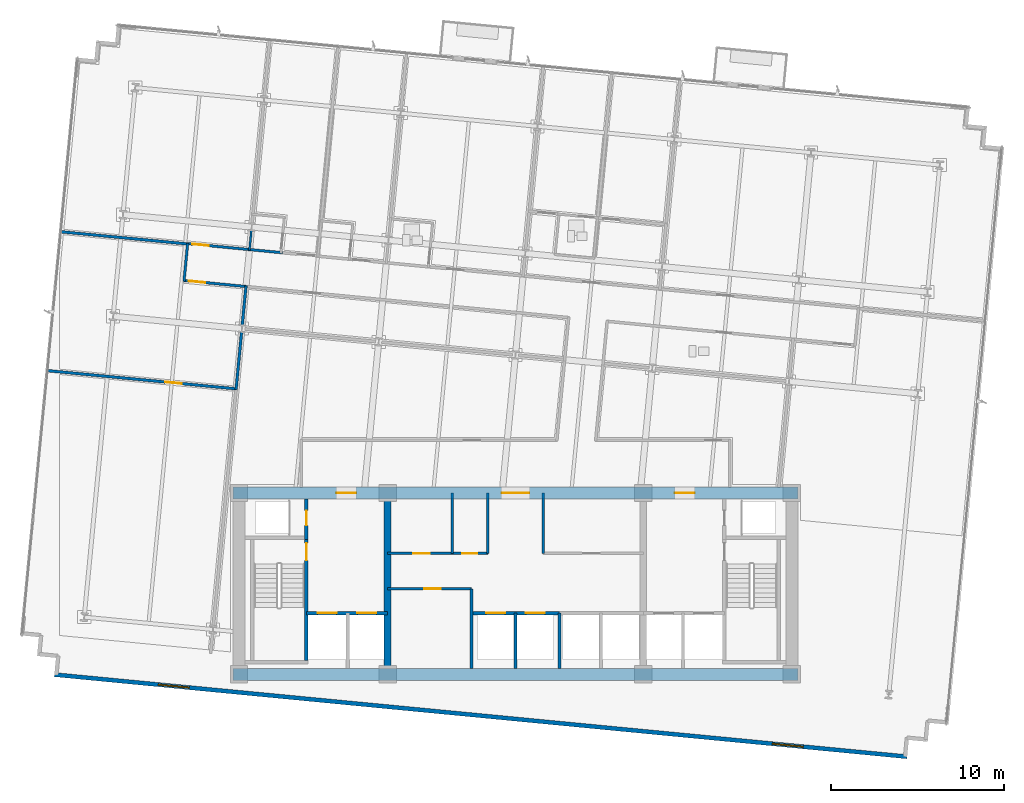
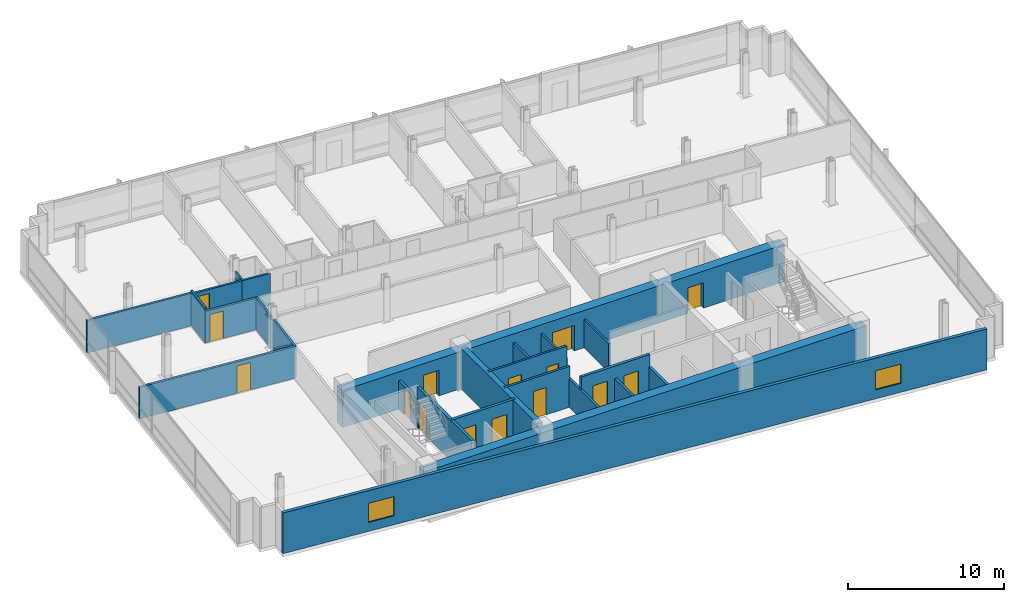
# One storey, part 10 of 17: 25 walls, 15 doors, 2 windows, 17 openings.
"""IFC4 building model written with IfcOpenShell, lengths in metres."""

from ifc_helpers import new_model, si_unit, direction, frame, frame_2d, origin, place, context, subcontext, project, spatial, rectangle, extrude, material, layer, layer_set, type_object, element, fill, save


model = new_model("IFC4")

# Units and contexts
model_context = context("Model", 3, precision=1e-05, world=origin(), true_north=direction((0.0, 1.0)))
body_context = subcontext(model_context, "Body", "Model", "MODEL_VIEW")
ifc_project = project(units=[si_unit("LENGTHUNIT", "METRE"), si_unit("AREAUNIT", "SQUARE_METRE"), si_unit("VOLUMEUNIT", "CUBIC_METRE"), si_unit("PLANEANGLEUNIT", "RADIAN"), si_unit("MASSUNIT", "GRAM", prefix="KILO")], contexts=[model_context])

# Site, building, storey
site_placement = place(None, origin())
site = spatial("IfcSite", under=ifc_project, at=site_placement, CompositionType="ELEMENT")
building_placement = place(site_placement, origin())
building = spatial("IfcBuilding", under=site, at=building_placement, Name="Solmavex Isthmus Hotel", CompositionType="ELEMENT")
storey_placement = place(building_placement, frame((0.0, 0.0, 156.60009765625)))
storey = spatial("IfcBuildingStorey", under=building, at=storey_placement, Name="L42", CompositionType="ELEMENT", Elevation=156.60009765625)

# Wall, openings, windows
ifc_material_1 = material(Name="Precast Concrete C40/50", Category="concrete")
ifc_layer_1 = layer(ifc_material_1, 0.25)
ifc_layer_set_1 = layer_set([ifc_layer_1], Name="Precast Concrete C40/50")
wall_type_1 = type_object("IfcWallType", Name="EW-TWR-250", PredefinedType="STANDARD", material=ifc_layer_set_1)
wall_1_placement = place(storey_placement, frame((-26.6953125, -13.01611328125, 0.0), z_axis=(0.0, 0.0, 1.0), x_axis=(0.995396268366, -0.095845025554, 0.0)))
wall_1 = element("IfcWall", 1, at=wall_1_placement, inside=storey, type_object=wall_type_1, Name="Tower Rear South Facade Wall L42", PredefinedType="STANDARD", context=body_context, shape_type="SweptSolid", body=[
    extrude(rectangle(XDim=49.599853515625, YDim=0.239990234375, at=frame_2d((24.7998046875, 0.0))), origin(), (0.0, 0.0, 1.0), 3.18994140625),
])
opening_1_placement = place(wall_1_placement, frame((6.0439453125, 0.0, 0.699951171875)))
opening_1 = element("IfcOpeningElement", 2, at=opening_1_placement, cuts=wall_1, Name="Opening WN-02", PredefinedType="OPENING", context=body_context, shape_type="SweptSolid", body=[
    extrude(rectangle(XDim=1.800048828125, YDim=1.5, at=frame_2d((0.89990234375, 0.75))), frame((0.0, 0.1298828125, 0.0), z_axis=(0.0, -1.0, 0.0), x_axis=(1.0, 0.0, 0.0)), (0.0, 0.0, 1.0), 0.260009765625),
])
opening_2_placement = place(wall_1_placement, frame((41.756103515625, 0.0, 0.699951171875)))
opening_2 = element("IfcOpeningElement", 3, at=opening_2_placement, cuts=wall_1, Name="Opening WN-02", PredefinedType="OPENING", context=body_context, shape_type="SweptSolid", body=[
    extrude(rectangle(XDim=1.800048828125, YDim=1.5, at=frame_2d((0.89990234375, 0.75))), frame((0.0, 0.1298828125, 0.0), z_axis=(0.0, -1.0, 0.0), x_axis=(1.0, 0.0, 0.0)), (0.0, 0.0, 1.0), 0.260009765625),
])
ifc_material_2 = material(Name="Clear low-E laminated glass", Category="glass")
window_type = type_object("IfcWindowType", Name="WIN-TWR-1800", PartitioningType="SINGLE_PANEL", PredefinedType="WINDOW", material=ifc_material_2)
window_1_placement = place(opening_1_placement, origin())
window_1 = element("IfcWindow", 4, at=window_1_placement, inside=storey, type_object=window_type, Name="South Facade Vision Window L42-S1", OverallHeight=1.5, OverallWidth=1.800048828125, PartitioningType="SINGLE_PANEL", PredefinedType="WINDOW", context=body_context, shape_type="SweptSolid", body=[
    extrude(rectangle(XDim=1.800048828125, YDim=1.5, at=frame_2d((0.89990234375, 0.75))), frame((0.0, 0.030029296875, 0.0), z_axis=(0.0, -1.0, 0.0), x_axis=(1.0, 0.0, 0.0)), (0.0, 0.0, 1.0), 0.06005859375),
])
fill(opening_1, window_1)
window_2_placement = place(opening_2_placement, origin())
window_2 = element("IfcWindow", 5, at=window_2_placement, inside=storey, type_object=window_type, Name="South Facade Vision Window L42-S2", OverallHeight=1.5, OverallWidth=1.800048828125, PartitioningType="SINGLE_PANEL", PredefinedType="WINDOW", context=body_context, shape_type="SweptSolid", body=[
    extrude(rectangle(XDim=1.800048828125, YDim=1.5, at=frame_2d((0.89990234375, 0.75))), frame((0.0, 0.030029296875, 0.0), z_axis=(0.0, -1.0, 0.0), x_axis=(1.0, 0.0, 0.0)), (0.0, 0.0, 1.0), 0.06005859375),
])
fill(opening_2, window_2)

# Wall, opening, door
ifc_material_3 = material(Name="Gypsum plasterboard lining", Category="gypsum")
ifc_layer_2 = layer(ifc_material_3, 0.159912109375)
ifc_layer_set_2 = layer_set([ifc_layer_2], Name="Gypsum plasterboard lining")
wall_type_2 = type_object("IfcWallType", Name="IW-COMP-160", PredefinedType="PARTITIONING", material=ifc_layer_set_2)
wall_2_placement = place(storey_placement, frame((-7.39990234375, -8.050048828125, 0.0), z_axis=(0.0, 0.0, 1.0), x_axis=(1.0, 0.0, 0.0)))
wall_2 = element("IfcWall", 6, at=wall_2_placement, inside=storey, type_object=wall_type_2, Name="Interior Partition Wall W-L42-REC-PLL-N", PredefinedType="PARTITIONING", context=body_context, shape_type="SweptSolid", body=[
    extrude(rectangle(XDim=4.849853515625, YDim=0.159912109375, at=frame_2d((2.4248046875, 0.0))), origin(), (0.0, 0.0, 1.0), 3.18994140625),
])
opening_3_placement = place(wall_2_placement, frame((2.125, 0.0, 0.0)))
opening_3 = element("IfcOpeningElement", 7, at=opening_3_placement, cuts=wall_2, Name="Opening ID-C095", PredefinedType="OPENING", context=body_context, shape_type="SweptSolid", body=[
    extrude(rectangle(XDim=0.949951171875, YDim=2.14990234375, at=frame_2d((0.47509765625, 1.074951171875))), frame((0.0, 0.08984375, 0.0), z_axis=(0.0, -1.0, 0.0), x_axis=(1.0, 0.0, 0.0)), (0.0, 0.0, 1.0), 0.179931640625),
])
ifc_material_4 = material(Name="Hardwood timber", Category="wood")
door_type_1 = type_object("IfcDoorType", Name="IDR-FD60-0950", OperationType="NOTDEFINED", PredefinedType="DOOR", material=ifc_material_4)
door_1_placement = place(opening_3_placement, origin())
door_1 = element("IfcDoor", 8, at=door_1_placement, inside=storey, type_object=door_type_1, Name="Linen Reserve Door L42", OperationType="SINGLE_SWING_LEFT", OverallHeight=2.14990234375, OverallWidth=0.949951171875, PredefinedType="DOOR", context=body_context, shape_type="SweptSolid", body=[
    extrude(rectangle(XDim=0.949951171875, YDim=2.14990234375, at=frame_2d((0.47509765625, 1.074951171875))), frame((0.0, 0.02490234375, 0.0), z_axis=(0.0, -1.0, 0.0), x_axis=(1.0, 0.0, 0.0)), (0.0, 0.0, 1.0), 0.050048828125),
])
fill(opening_3, door_1)

# Walls
wall_3_placement = place(storey_placement, frame((-2.550048828125, -12.64990234375, 0.0), z_axis=(0.0, 0.0, 1.0), x_axis=(0.0, 1.0, 0.0)))
element("IfcWall", 9, at=wall_3_placement, inside=storey, type_object=wall_type_2, Name="Interior Partition Wall W-L42-REC-PLL-E", PredefinedType="PARTITIONING", context=body_context, shape_type="SweptSolid", body=[
    extrude(rectangle(XDim=4.599853515625, YDim=0.159912109375, at=frame_2d((2.2998046875, 0.0))), origin(), (0.0, 0.0, 1.0), 2.224853515625),
])
wall_4_placement = place(storey_placement, frame((-18.942138671875, 11.91552734375, 0.0), z_axis=(0.0, 0.0, 1.0), x_axis=(-0.995395927026, 0.095848570461, 0.0)))
element("IfcWall", 10, at=wall_4_placement, inside=storey, type_object=wall_type_2, Name="Interior Partition Wall W-L42-P027", PredefinedType="PARTITIONING", context=body_context, shape_type="SweptSolid", body=[
    extrude(rectangle(XDim=7.44775390625, YDim=0.159912109375, at=frame_2d((3.723876953125, 0.0))), origin(), (0.0, 0.0, 1.0), 2.557373046875),
])
wall_5_placement = place(storey_placement, frame((-15.820556640625, 7.190673828125, 0.0), z_axis=(0.0, 0.0, 1.0), x_axis=(0.09580488871, 0.995400132258, 0.0)))
element("IfcWall", 11, at=wall_5_placement, inside=storey, type_object=wall_type_2, Name="Interior Partition Wall W-L42-P059", PredefinedType="PARTITIONING", context=body_context, shape_type="SweptSolid", body=[
    extrude(rectangle(XDim=2.31396484375, YDim=0.159912109375, at=frame_2d((1.156982421875, 0.0))), origin(), (0.0, 0.0, 1.0), 2.4794921875),
])
wall_6_placement = place(storey_placement, frame((-15.854248046875, 6.84033203125, 0.0), z_axis=(0.0, 0.0, 1.0), x_axis=(-0.095867281951, -0.995394125084, 0.0)))
element("IfcWall", 12, at=wall_6_placement, inside=storey, type_object=wall_type_2, Name="Interior Partition Wall W-L42-P064", PredefinedType="PARTITIONING", context=body_context, shape_type="SweptSolid", body=[
    extrude(rectangle(XDim=3.364013671875, YDim=0.159912109375, at=frame_2d((1.68212890625, 0.0))), origin(), (0.0, 0.0, 1.0), 2.4794921875),
])

# Wall, opening, door
wall_7_placement = place(storey_placement, frame((-16.133056640625, 3.52783203125, 0.0), z_axis=(0.0, 0.0, 1.0), x_axis=(-0.99539691551, 0.095838304419, 0.0)))
wall_7 = element("IfcWall", 13, at=wall_7_placement, inside=storey, type_object=wall_type_2, Name="Interior Partition Wall W-L42-P065", PredefinedType="PARTITIONING", context=body_context, shape_type="SweptSolid", body=[
    extrude(rectangle(XDim=11.048095703125, YDim=0.159912109375, at=frame_2d((5.52392578125, 0.0))), origin(), (0.0, 0.0, 1.0), 2.4794921875),
])
opening_4_placement = place(wall_7_placement, frame((3.206298828125, 0.0, 0.0)))
opening_4 = element("IfcOpeningElement", 14, at=opening_4_placement, cuts=wall_7, Name="Opening ID-C095", PredefinedType="OPENING", context=body_context, shape_type="SweptSolid", body=[
    extrude(rectangle(XDim=0.949951171875, YDim=2.14990234375, at=frame_2d((0.47509765625, 1.074951171875))), frame((0.0, 0.08984375, 0.0), z_axis=(0.0, -1.0, 0.0), x_axis=(1.0, 0.0, 0.0)), (0.0, 0.0, 1.0), 0.179931640625),
])
door_2_placement = place(opening_4_placement, origin())
door_2 = element("IfcDoor", 15, at=door_2_placement, inside=storey, type_object=door_type_1, Name="Corporate Briefing Office Door L42-19", OperationType="SINGLE_SWING_LEFT", OverallHeight=2.14990234375, OverallWidth=0.949951171875, PredefinedType="DOOR", context=body_context, shape_type="SweptSolid", body=[
    extrude(rectangle(XDim=0.949951171875, YDim=2.14990234375, at=frame_2d((0.47509765625, 1.074951171875))), frame((0.0, 0.02490234375, 0.0), z_axis=(0.0, -1.0, 0.0), x_axis=(1.0, 0.0, 0.0)), (0.0, 0.0, 1.0), 0.050048828125),
])
fill(opening_4, door_2)

# Wall, openings, doors
ifc_layer_3 = layer(ifc_material_3, 0.14990234375)
ifc_layer_set_3 = layer_set([ifc_layer_3], Name="Gypsum plasterboard lining")
wall_type_3 = type_object("IfcWallType", Name="IW-CORR-150", PredefinedType="PARTITIONING", material=ifc_layer_set_3)
wall_8_placement = place(storey_placement, frame((-7.39990234375, -6.0, 0.0), z_axis=(0.0, 0.0, 1.0), x_axis=(1.0, 0.0, 0.0)))
wall_8 = element("IfcWall", 16, at=wall_8_placement, inside=storey, type_object=wall_type_3, Name="Interior Partition Wall W-L42-BOH-WS", PredefinedType="PARTITIONING", context=body_context, shape_type="SweptSolid", body=[
    extrude(rectangle(XDim=5.7998046875, YDim=0.14990234375, at=frame_2d((2.89990234375, 0.0))), origin(), (0.0, 0.0, 1.0), 3.18994140625),
])
opening_5_placement = place(wall_8_placement, frame((1.47509765625, 0.0, 0.0)))
opening_5 = element("IfcOpeningElement", 17, at=opening_5_placement, cuts=wall_8, Name="Opening ID-C095", PredefinedType="OPENING", context=body_context, shape_type="SweptSolid", body=[
    extrude(rectangle(XDim=0.949951171875, YDim=2.14990234375, at=frame_2d((0.47509765625, 1.074951171875))), frame((0.0, 0.0849609375, 0.0), z_axis=(0.0, -1.0, 0.0), x_axis=(1.0, 0.0, 0.0)), (0.0, 0.0, 1.0), 0.169921875),
])
opening_6_placement = place(wall_8_placement, frame((4.324951171875, 0.0, 0.0)))
opening_6 = element("IfcOpeningElement", 18, at=opening_6_placement, cuts=wall_8, Name="Opening ID-R085", PredefinedType="OPENING", context=body_context, shape_type="SweptSolid", body=[
    extrude(rectangle(XDim=0.85009765625, YDim=2.050048828125, at=frame_2d((0.425048828125, 1.02490234375))), frame((0.0, 0.0849609375, 0.0), z_axis=(0.0, -1.0, 0.0), x_axis=(1.0, 0.0, 0.0)), (0.0, 0.0, 1.0), 0.169921875),
])
ifc_material_5 = material(Name="Steel ASTM A500 Grade C", Category="steel")
door_type_2 = type_object("IfcDoorType", Name="IDR-FD60-0850", OperationType="NOTDEFINED", PredefinedType="DOOR", material=ifc_material_5)
door_3_placement = place(opening_6_placement, frame((0.85009765625, 0.0, 0.0), z_axis=(0.0, 0.0, 1.0), x_axis=(-1.0, 0.0, 0.0)))
door_3 = element("IfcDoor", 19, at=door_3_placement, inside=storey, type_object=door_type_2, Name="Cleaner Closet Door L42", OperationType="SINGLE_SWING_RIGHT", OverallHeight=2.050048828125, OverallWidth=0.85009765625, PredefinedType="DOOR", context=body_context, shape_type="SweptSolid", body=[
    extrude(rectangle(XDim=0.85009765625, YDim=2.050048828125, at=frame_2d((0.425048828125, 1.02490234375))), frame((0.0, 0.02490234375, 0.0), z_axis=(0.0, -1.0, 0.0), x_axis=(1.0, 0.0, 0.0)), (0.0, 0.0, 1.0), 0.050048828125),
])
fill(opening_6, door_3)
door_4_placement = place(opening_5_placement, frame((0.949951171875, 0.0, 0.0), z_axis=(0.0, 0.0, 1.0), x_axis=(-1.0, 0.0, 0.0)))
door_4 = element("IfcDoor", 20, at=door_4_placement, inside=storey, type_object=door_type_1, Name="Housekeeping Store Door L42", OperationType="SINGLE_SWING_LEFT", OverallHeight=2.14990234375, OverallWidth=0.949951171875, PredefinedType="DOOR", context=body_context, shape_type="SweptSolid", body=[
    extrude(rectangle(XDim=0.949951171875, YDim=2.14990234375, at=frame_2d((0.47509765625, 1.074951171875))), frame((0.0, 0.02490234375, 0.0), z_axis=(0.0, -1.0, 0.0), x_axis=(1.0, 0.0, 0.0)), (0.0, 0.0, 1.0), 0.050048828125),
])
fill(opening_5, door_4)

# Walls
for number, where, z_axis, x_axis, name in (
    (21, (-1.60009765625, -6.0, 0.0), (0.0, 0.0, 1.0), (0.0, 1.0, 0.0), "Interior Partition Wall W-L42-BOH-WE"),
    (22, (1.60009765625, -6.0, 0.0), (0.0, 0.0, 1.0), (0.0, 1.0, 0.0), "Interior Partition Wall W-L42-BOH-EW"),
):
    element("IfcWall", number, at=place(storey_placement, frame(where, z_axis=z_axis, x_axis=x_axis)), inside=storey, type_object=wall_type_3, Name=name, PredefinedType="PARTITIONING", context=body_context, shape_type="SweptSolid", body=[
        extrude(rectangle(XDim=3.5, YDim=0.14990234375, at=frame_2d((1.75, 0.0))), origin(), (0.0, 0.0, 1.0), 2.224853515625),
    ])

# Wall, opening, door
wall_9_placement = place(storey_placement, frame((-19.019775390625, 11.943115234375, 0.0), z_axis=(0.0, 0.0, 1.0), x_axis=(0.995397364202, -0.095833644092, 0.0)))
wall_9 = element("IfcWall", 23, at=wall_9_placement, inside=storey, type_object=wall_type_3, Name="Interior Partition Wall W-L42-P001", PredefinedType="PARTITIONING", context=body_context, shape_type="SweptSolid", body=[
    extrude(rectangle(XDim=3.721923828125, YDim=0.14990234375, at=frame_2d((1.86083984375, 0.0))), origin(), (0.0, 0.0, 1.0), 2.4794921875),
])
opening_7_placement = place(wall_9_placement, frame((0.315185546875, 0.0, 0.0)))
opening_7 = element("IfcOpeningElement", 24, at=opening_7_placement, cuts=wall_9, Name="Opening ID-C095", PredefinedType="OPENING", context=body_context, shape_type="SweptSolid", body=[
    extrude(rectangle(XDim=0.949951171875, YDim=2.14990234375, at=frame_2d((0.47509765625, 1.074951171875))), frame((0.0, 0.0849609375, 0.0), z_axis=(0.0, -1.0, 0.0), x_axis=(1.0, 0.0, 0.0)), (0.0, 0.0, 1.0), 0.169921875),
])
door_5_placement = place(opening_7_placement, frame((0.949951171875, 0.0, 0.0), z_axis=(0.0, 0.0, 1.0), x_axis=(-1.0, 0.0, 0.0)))
door_5 = element("IfcDoor", 25, at=door_5_placement, inside=storey, type_object=door_type_1, Name="Executive Hospitality Lounge Door L42-01", OperationType="SINGLE_SWING_LEFT", OverallHeight=2.14990234375, OverallWidth=0.949951171875, PredefinedType="DOOR", context=body_context, shape_type="SweptSolid", body=[
    extrude(rectangle(XDim=0.949951171875, YDim=2.14990234375, at=frame_2d((0.47509765625, 1.074951171875))), frame((0.0, 0.02490234375, 0.0), z_axis=(0.0, -1.0, 0.0), x_axis=(1.0, 0.0, 0.0)), (0.0, 0.0, 1.0), 0.050048828125),
])
fill(opening_7, door_5)

# Wall
wall_10_placement = place(storey_placement, frame((-15.478271484375, 11.60205078125, 0.0), z_axis=(0.0, 0.0, 1.0), x_axis=(0.995394211968, -0.095866379824, 0.0)))
element("IfcWall", 26, at=wall_10_placement, inside=storey, type_object=wall_type_3, Name="Interior Partition Wall W-L42-P003", PredefinedType="PARTITIONING", context=body_context, shape_type="SweptSolid", body=[
    extrude(rectangle(XDim=1.994140625, YDim=0.14990234375, at=frame_2d((0.9970703125, 0.0))), origin(), (0.0, 0.0, 1.0), 2.4794921875),
])

# Wall, opening, door
wall_11_placement = place(storey_placement, frame((-15.52099609375, 9.4462890625, 0.0), z_axis=(0.0, 0.0, 1.0), x_axis=(-0.995397364202, 0.095833644092, 0.0)))
wall_11 = element("IfcWall", 27, at=wall_11_placement, inside=storey, type_object=wall_type_3, Name="Interior Partition Wall W-L42-P017", PredefinedType="PARTITIONING", context=body_context, shape_type="SweptSolid", body=[
    extrude(rectangle(XDim=3.721923828125, YDim=0.14990234375, at=frame_2d((1.86083984375, 0.0))), origin(), (0.0, 0.0, 1.0), 2.4794921875),
])
opening_8_placement = place(wall_11_placement, frame((2.456787109375, 0.0, 0.0)))
opening_8 = element("IfcOpeningElement", 28, at=opening_8_placement, cuts=wall_11, Name="Opening ID-C095", PredefinedType="OPENING", context=body_context, shape_type="SweptSolid", body=[
    extrude(rectangle(XDim=0.949951171875, YDim=2.14990234375, at=frame_2d((0.47509765625, 1.074951171875))), frame((0.0, 0.0849609375, 0.0), z_axis=(0.0, -1.0, 0.0), x_axis=(1.0, 0.0, 0.0)), (0.0, 0.0, 1.0), 0.169921875),
])
door_6_placement = place(opening_8_placement, frame((0.949951171875, 0.0, 0.0), z_axis=(0.0, 0.0, 1.0), x_axis=(-1.0, 0.0, 0.0)))
door_6 = element("IfcDoor", 29, at=door_6_placement, inside=storey, type_object=door_type_1, Name="Executive Hospitality Lounge Door L42-16", OperationType="SINGLE_SWING_RIGHT", OverallHeight=2.14990234375, OverallWidth=0.949951171875, PredefinedType="DOOR", context=body_context, shape_type="SweptSolid", body=[
    extrude(rectangle(XDim=0.949951171875, YDim=2.14990234375, at=frame_2d((0.47509765625, 1.074951171875))), frame((0.0, 0.02490234375, 0.0), z_axis=(0.0, -1.0, 0.0), x_axis=(1.0, 0.0, 0.0)), (0.0, 0.0, 1.0), 0.050048828125),
])
fill(opening_8, door_6)

# Walls
wall_12_placement = place(storey_placement, frame((-19.18994140625, 9.75927734375, 0.0), z_axis=(0.0, 0.0, 1.0), x_axis=(0.095882898123, 0.995392620953, 0.0)))
element("IfcWall", 30, at=wall_12_placement, inside=storey, type_object=wall_type_3, Name="Interior Partition Wall W-L42-P018", PredefinedType="PARTITIONING", context=body_context, shape_type="SweptSolid", body=[
    extrude(rectangle(XDim=2.210205078125, YDim=0.14990234375, at=frame_2d((1.10498046875, 0.0))), origin(), (0.0, 0.0, 1.0), 2.718017578125),
])
ifc_layer_4 = layer(ifc_material_3, 0.1201171875)
ifc_layer_set_4 = layer_set([ifc_layer_4], Name="Gypsum plasterboard lining")
wall_type_4 = type_object("IfcWallType", Name="IW-PART-120", PredefinedType="PARTITIONING", material=ifc_layer_set_4)
wall_13_placement = place(storey_placement, frame((-3.64990234375, -6.0, 0.0), z_axis=(0.0, 0.0, 1.0), x_axis=(0.0, 1.0, 0.0)))
element("IfcWall", 31, at=wall_13_placement, inside=storey, type_object=wall_type_4, Name="Interior Partition Wall W-L42-BOH-WM1", PredefinedType="PARTITIONING", context=body_context, shape_type="SweptSolid", body=[
    extrude(rectangle(XDim=3.5, YDim=0.14990234375, at=frame_2d((1.75, 0.0))), origin(), (0.0, 0.0, 1.0), 2.224853515625),
])
wall_14_placement = place(storey_placement, frame((-15.2880859375, 12.720947265625, 0.0), z_axis=(0.0, 0.0, 1.0), x_axis=(-0.095831494917, -0.995397571115, 0.0)))
element("IfcWall", 32, at=wall_14_placement, inside=storey, type_object=wall_type_4, Name="Interior Partition Wall W-L42-P026", PredefinedType="PARTITIONING", context=body_context, shape_type="SweptSolid", body=[
    extrude(rectangle(XDim=1.171875, YDim=0.1201171875, at=frame_2d((0.5859375, 0.0))), origin(), (0.0, 0.0, 1.0), 2.4794921875),
])
ifc_material_6 = material(Name="Concrete C40/50", Category="concrete")
ifc_layer_5 = layer(ifc_material_6, 0.179931640625)
ifc_layer_set_5 = layer_set([ifc_layer_5], Name="Concrete C40/50")
wall_type_5 = type_object("IfcWallType", Name="IW-SHAFT-180", PredefinedType="PARTITIONING", material=ifc_layer_set_5)
wall_15_placement = place(storey_placement, frame((0.0, -12.64990234375, 0.0), z_axis=(0.0, 0.0, 1.0), x_axis=(0.0, 1.0, 0.0)))
element("IfcWall", 33, at=wall_15_placement, inside=storey, type_object=wall_type_5, Name="Interior Partition Wall W-L42-SH-PLM-M", PredefinedType="PARTITIONING", context=body_context, shape_type="SweptSolid", body=[
    extrude(rectangle(XDim=3.199951171875, YDim=0.179931640625, at=frame_2d((1.60009765625, 0.0))), origin(), (0.0, 0.0, 1.0), 2.224853515625),
])

# Wall, opening, door
ifc_layer_6 = layer(ifc_material_6, 0.199951171875)
ifc_layer_set_6 = layer_set([ifc_layer_6], Name="Concrete C40/50")
wall_type_6 = type_object("IfcWallType", Name="IW-SHAFT-200", PredefinedType="PARTITIONING", material=ifc_layer_set_6)
wall_16_placement = place(storey_placement, frame((-12.10009765625, -5.199951171875, 0.0), z_axis=(0.0, 0.0, 1.0), x_axis=(0.0, 1.0, 0.0)))
wall_16 = element("IfcWall", 34, at=wall_16_placement, inside=storey, type_object=wall_type_6, Name="Interior Partition Wall W-L42-RSW-E", PredefinedType="PARTITIONING", context=body_context, shape_type="SweptSolid", body=[
    extrude(rectangle(XDim=2.349853515625, YDim=0.199951171875, at=frame_2d((1.1748046875, 0.0))), origin(), (0.0, 0.0, 1.0), 2.224853515625),
])
opening_9_placement = place(wall_16_placement, frame((0.824951171875, 0.0, 0.0)))
opening_9 = element("IfcOpeningElement", 35, at=opening_9_placement, cuts=wall_16, Name="Opening ID-R085", PredefinedType="OPENING", context=body_context, shape_type="SweptSolid", body=[
    extrude(rectangle(XDim=0.85009765625, YDim=2.050048828125, at=frame_2d((0.425048828125, 1.02490234375))), frame((0.0, 0.10986328125, 0.0), z_axis=(0.0, -1.0, 0.0), x_axis=(1.0, 0.0, 0.0)), (0.0, 0.0, 1.0), 0.219970703125),
])
door_7_placement = place(opening_9_placement, origin())
door_7 = element("IfcDoor", 36, at=door_7_placement, inside=storey, type_object=door_type_2, Name="Electrical Riser Door L42", OperationType="SINGLE_SWING_RIGHT", OverallHeight=2.050048828125, OverallWidth=0.85009765625, PredefinedType="DOOR", context=body_context, shape_type="SweptSolid", body=[
    extrude(rectangle(XDim=0.85009765625, YDim=2.050048828125, at=frame_2d((0.425048828125, 1.02490234375))), frame((0.0, 0.02490234375, 0.0), z_axis=(0.0, -1.0, 0.0), x_axis=(1.0, 0.0, 0.0)), (0.0, 0.0, 1.0), 0.050048828125),
])
fill(opening_9, door_7)

# Wall, openings, doors
wall_17_placement = place(storey_placement, frame((-12.10009765625, -9.449951171875, 0.0), z_axis=(0.0, 0.0, 1.0), x_axis=(1.0, 0.0, 0.0)))
wall_17 = element("IfcWall", 37, at=wall_17_placement, inside=storey, type_object=wall_type_6, Name="Interior Partition Wall W-L42-FFLW-S", PredefinedType="PARTITIONING", context=body_context, shape_type="SweptSolid", body=[
    extrude(rectangle(XDim=4.7001953125, YDim=0.199951171875, at=frame_2d((2.35009765625, 0.0))), origin(), (0.0, 0.0, 1.0), 3.18994140625),
])
opening_10_placement = place(wall_17_placement, frame((0.64990234375, 0.0, 0.0)))
opening_10 = element("IfcOpeningElement", 38, at=opening_10_placement, cuts=wall_17, Name="Opening LD-FF", PredefinedType="OPENING", context=body_context, shape_type="SweptSolid", body=[
    extrude(rectangle(XDim=1.10009765625, YDim=2.199951171875, at=frame_2d((0.550048828125, 1.10009765625))), frame((0.0, 0.10986328125, 0.0), z_axis=(0.0, -1.0, 0.0), x_axis=(1.0, 0.0, 0.0)), (0.0, 0.0, 1.0), 0.219970703125),
])
opening_11_placement = place(wall_17_placement, frame((2.949951171875, 0.0, 0.0)))
opening_11 = element("IfcOpeningElement", 39, at=opening_11_placement, cuts=wall_17, Name="Opening LD-SV", PredefinedType="OPENING", context=body_context, shape_type="SweptSolid", body=[
    extrude(rectangle(XDim=1.10009765625, YDim=2.199951171875, at=frame_2d((0.550048828125, 1.10009765625))), frame((0.0, 0.10986328125, 0.0), z_axis=(0.0, -1.0, 0.0), x_axis=(1.0, 0.0, 0.0)), (0.0, 0.0, 1.0), 0.219970703125),
])
ifc_material_7 = material(Name="Stainless steel 316", Category="steel")
door_type_3 = type_object("IfcDoorType", Name="LDR-FF-1100", OperationType="NOTDEFINED", PredefinedType="DOOR", material=ifc_material_7)
door_8_placement = place(opening_10_placement, origin())
door_8 = element("IfcDoor", 40, at=door_8_placement, inside=storey, type_object=door_type_3, Name="Lift Landing Door FFL-1 L42", OperationType="SLIDING_TO_LEFT", OverallHeight=2.199951171875, OverallWidth=1.10009765625, PredefinedType="DOOR", context=body_context, shape_type="SweptSolid", body=[
    extrude(rectangle(XDim=1.10009765625, YDim=2.199951171875, at=frame_2d((0.550048828125, 1.10009765625))), frame((0.0, 0.02490234375, 0.0), z_axis=(0.0, -1.0, 0.0), x_axis=(1.0, 0.0, 0.0)), (0.0, 0.0, 1.0), 0.050048828125),
])
fill(opening_10, door_8)
door_type_4 = type_object("IfcDoorType", Name="LDR-SV-1100", OperationType="NOTDEFINED", PredefinedType="DOOR", material=ifc_material_7)
door_9_placement = place(opening_11_placement, origin())
door_9 = element("IfcDoor", 41, at=door_9_placement, inside=storey, type_object=door_type_4, Name="Lift Landing Door SVL-1 L42", OperationType="SLIDING_TO_RIGHT", OverallHeight=2.199951171875, OverallWidth=1.10009765625, PredefinedType="DOOR", context=body_context, shape_type="SweptSolid", body=[
    extrude(rectangle(XDim=1.10009765625, YDim=2.199951171875, at=frame_2d((0.550048828125, 1.10009765625))), frame((0.0, 0.02490234375, 0.0), z_axis=(0.0, -1.0, 0.0), x_axis=(1.0, 0.0, 0.0)), (0.0, 0.0, 1.0), 0.050048828125),
])
fill(opening_11, door_9)

wall_18_placement = place(storey_placement, frame((-2.550048828125, -9.449951171875, 0.0), z_axis=(0.0, 0.0, 1.0), x_axis=(1.0, 0.0, 0.0)))
wall_18 = element("IfcWall", 42, at=wall_18_placement, inside=storey, type_object=wall_type_6, Name="Interior Partition Wall W-L42-SH-PLM", PredefinedType="PARTITIONING", context=body_context, shape_type="SweptSolid", body=[
    extrude(rectangle(XDim=5.10009765625, YDim=0.199951171875, at=frame_2d((2.550048828125, 0.0))), origin(), (0.0, 0.0, 1.0), 3.18994140625),
])
opening_12_placement = place(wall_18_placement, frame((0.85009765625, 0.0, 0.0)))
opening_12 = element("IfcOpeningElement", 43, at=opening_12_placement, cuts=wall_18, Name="Opening LD-PL", PredefinedType="OPENING", context=body_context, shape_type="SweptSolid", body=[
    extrude(rectangle(XDim=1.10009765625, YDim=2.199951171875, at=frame_2d((0.550048828125, 1.10009765625))), frame((0.0, 0.10986328125, 0.0), z_axis=(0.0, -1.0, 0.0), x_axis=(1.0, 0.0, 0.0)), (0.0, 0.0, 1.0), 0.219970703125),
])
opening_13_placement = place(wall_18_placement, frame((3.14990234375, 0.0, 0.0)))
opening_13 = element("IfcOpeningElement", 44, at=opening_13_placement, cuts=wall_18, Name="Opening LD-PL", PredefinedType="OPENING", context=body_context, shape_type="SweptSolid", body=[
    extrude(rectangle(XDim=1.10009765625, YDim=2.199951171875, at=frame_2d((0.550048828125, 1.10009765625))), frame((0.0, 0.10986328125, 0.0), z_axis=(0.0, -1.0, 0.0), x_axis=(1.0, 0.0, 0.0)), (0.0, 0.0, 1.0), 0.219970703125),
])
door_type_5 = type_object("IfcDoorType", Name="LDR-PL-1100", OperationType="NOTDEFINED", PredefinedType="DOOR", material=ifc_material_7)
door_10_placement = place(opening_12_placement, origin())
door_10 = element("IfcDoor", 45, at=door_10_placement, inside=storey, type_object=door_type_5, Name="Lift Landing Door PLM1 L42", OperationType="SLIDING_TO_RIGHT", OverallHeight=2.199951171875, OverallWidth=1.10009765625, PredefinedType="DOOR", context=body_context, shape_type="SweptSolid", body=[
    extrude(rectangle(XDim=1.10009765625, YDim=2.199951171875, at=frame_2d((0.550048828125, 1.10009765625))), frame((0.0, 0.02490234375, 0.0), z_axis=(0.0, -1.0, 0.0), x_axis=(1.0, 0.0, 0.0)), (0.0, 0.0, 1.0), 0.050048828125),
])
fill(opening_12, door_10)
door_11_placement = place(opening_13_placement, origin())
door_11 = element("IfcDoor", 46, at=door_11_placement, inside=storey, type_object=door_type_5, Name="Lift Landing Door PLM2 L42", OperationType="SLIDING_TO_RIGHT", OverallHeight=2.199951171875, OverallWidth=1.10009765625, PredefinedType="DOOR", context=body_context, shape_type="SweptSolid", body=[
    extrude(rectangle(XDim=1.10009765625, YDim=2.199951171875, at=frame_2d((0.550048828125, 1.10009765625))), frame((0.0, 0.02490234375, 0.0), z_axis=(0.0, -1.0, 0.0), x_axis=(1.0, 0.0, 0.0)), (0.0, 0.0, 1.0), 0.050048828125),
])
fill(opening_13, door_11)

# Walls
wall_19_placement = place(storey_placement, frame((2.550048828125, -12.64990234375, 0.0), z_axis=(0.0, 0.0, 1.0), x_axis=(0.0, 1.0, 0.0)))
element("IfcWall", 47, at=wall_19_placement, inside=storey, type_object=wall_type_6, Name="Interior Partition Wall W-L42-SH-PLM-E", PredefinedType="PARTITIONING", context=body_context, shape_type="SweptSolid", body=[
    extrude(rectangle(XDim=3.199951171875, YDim=0.199951171875, at=frame_2d((1.60009765625, 0.0))), origin(), (0.0, 0.0, 1.0), 2.224853515625),
])
ifc_material_8 = material(Name="Concrete C60/75", Category="concrete")
ifc_layer_7 = layer(ifc_material_8, 0.39990234375)
ifc_layer_set_7 = layer_set([ifc_layer_7], Name="Concrete C60/75")
wall_type_7 = type_object("IfcWallType", Name="WALL-CW-400M", PredefinedType="SHEAR", material=ifc_layer_set_7)
wall_20_placement = place(storey_placement, frame((-7.39990234375, -12.64990234375, 0.0), z_axis=(0.0, 0.0, 1.0), x_axis=(0.0, 1.0, 0.0)))
element("IfcWall", 48, at=wall_20_placement, inside=storey, type_object=wall_type_7, Name="Core Cross Shear Wall C1 L42", PredefinedType="SHEAR", context=body_context, shape_type="SweptSolid", body=[
    extrude(rectangle(XDim=9.7998046875, YDim=0.39990234375, at=frame_2d((4.89990234375, 0.0))), origin(), (0.0, 0.0, 1.0), 3.18994140625),
])
ifc_layer_8 = layer(ifc_material_8, 0.699951171875)
ifc_layer_set_8 = layer_set([ifc_layer_8], Name="Concrete C60/75")
wall_type_8 = type_object("IfcWallType", Name="WALL-CW-700", PredefinedType="SHEAR", material=ifc_layer_set_8)
wall_21_placement = place(storey_placement, frame((-16.35009765625, -13.0, 0.0), z_axis=(0.0, 0.0, 1.0), x_axis=(1.0, 0.0, 0.0)))
element("IfcWall", 49, at=wall_21_placement, inside=storey, type_object=wall_type_8, Name="Core Shear Wall South L42", PredefinedType="SHEAR", context=body_context, shape_type="SweptSolid", body=[
    extrude(rectangle(XDim=32.7001953125, YDim=0.699951171875, at=frame_2d((16.35009765625, 0.0))), origin(), (0.0, 0.0, 1.0), 2.909912109375),
])

# Wall, openings, doors
wall_22_placement = place(storey_placement, frame((-16.35009765625, -2.5, 0.0), z_axis=(0.0, 0.0, 1.0), x_axis=(1.0, 0.0, 0.0)))
wall_22 = element("IfcWall", 50, at=wall_22_placement, inside=storey, type_object=wall_type_8, Name="Core Shear Wall North L42", PredefinedType="SHEAR", context=body_context, shape_type="SweptSolid", body=[
    extrude(rectangle(XDim=32.7001953125, YDim=0.699951171875, at=frame_2d((16.35009765625, 0.0))), origin(), (0.0, 0.0, 1.0), 2.909912109375),
])
opening_14_placement = place(wall_22_placement, frame((5.97509765625, 0.0, 0.0)))
opening_14 = element("IfcOpeningElement", 51, at=opening_14_placement, cuts=wall_22, Name="Opening ID-F915", PredefinedType="OPENING", context=body_context, shape_type="SweptSolid", body=[
    extrude(rectangle(XDim=1.14990234375, YDim=2.0, at=frame_2d((0.574951171875, 1.0))), frame((0.0, 0.35986328125, 0.0), z_axis=(0.0, -1.0, 0.0), x_axis=(1.0, 0.0, 0.0)), (0.0, 0.0, 1.0), 0.719970703125),
])
opening_15_placement = place(wall_22_placement, frame((15.550048828125, 0.0, 0.0)))
opening_15 = element("IfcOpeningElement", 52, at=opening_15_placement, cuts=wall_22, Name="Opening ID-F960", PredefinedType="OPENING", context=body_context, shape_type="SweptSolid", body=[
    extrude(rectangle(XDim=1.60009765625, YDim=2.0, at=frame_2d((0.800048828125, 1.0))), frame((0.0, 0.35986328125, 0.0), z_axis=(0.0, -1.0, 0.0), x_axis=(1.0, 0.0, 0.0)), (0.0, 0.0, 1.0), 0.719970703125),
])
opening_16_placement = place(wall_22_placement, frame((25.574951171875, 0.0, 0.0)))
opening_16 = element("IfcOpeningElement", 53, at=opening_16_placement, cuts=wall_22, Name="Opening ID-F915", PredefinedType="OPENING", context=body_context, shape_type="SweptSolid", body=[
    extrude(rectangle(XDim=1.14990234375, YDim=2.0, at=frame_2d((0.574951171875, 1.0))), frame((0.0, 0.35986328125, 0.0), z_axis=(0.0, -1.0, 0.0), x_axis=(1.0, 0.0, 0.0)), (0.0, 0.0, 1.0), 0.719970703125),
])
door_type_6 = type_object("IfcDoorType", Name="IDR-FD90-1150C", OperationType="NOTDEFINED", PredefinedType="DOOR", material=ifc_material_5)
door_12_placement = place(opening_14_placement, origin())
door_12 = element("IfcDoor", 54, at=door_12_placement, inside=storey, type_object=door_type_6, Name="Firefighting Lobby West Exit Door L42", OperationType="SINGLE_SWING_LEFT", OverallHeight=2.0, OverallWidth=1.14990234375, PredefinedType="DOOR", context=body_context, shape_type="SweptSolid", body=[
    extrude(rectangle(XDim=1.14990234375, YDim=2.0, at=frame_2d((0.574951171875, 1.0))), frame((0.0, 0.02490234375, 0.0), z_axis=(0.0, -1.0, 0.0), x_axis=(1.0, 0.0, 0.0)), (0.0, 0.0, 1.0), 0.050048828125),
])
fill(opening_14, door_12)
door_13_placement = place(opening_16_placement, origin())
door_13 = element("IfcDoor", 55, at=door_13_placement, inside=storey, type_object=door_type_6, Name="Firefighting Lobby East Exit Door L42", OperationType="SINGLE_SWING_RIGHT", OverallHeight=2.0, OverallWidth=1.14990234375, PredefinedType="DOOR", context=body_context, shape_type="SweptSolid", body=[
    extrude(rectangle(XDim=1.14990234375, YDim=2.0, at=frame_2d((0.574951171875, 1.0))), frame((0.0, 0.02490234375, 0.0), z_axis=(0.0, -1.0, 0.0), x_axis=(1.0, 0.0, 0.0)), (0.0, 0.0, 1.0), 0.050048828125),
])
fill(opening_16, door_13)
door_type_7 = type_object("IfcDoorType", Name="IDR-FD90-1600C", OperationType="NOTDEFINED", PredefinedType="DOOR", material=ifc_material_5)
door_14_placement = place(opening_15_placement, origin())
door_14 = element("IfcDoor", 56, at=door_14_placement, inside=storey, type_object=door_type_7, Name="Central Lift Lobby Door L42", OperationType="DOUBLE_DOOR_SINGLE_SWING", OverallHeight=2.0, OverallWidth=1.60009765625, PredefinedType="DOOR", context=body_context, shape_type="SweptSolid", body=[
    extrude(rectangle(XDim=1.60009765625, YDim=2.0, at=frame_2d((0.800048828125, 1.0))), frame((0.0, 0.02490234375, 0.0), z_axis=(0.0, -1.0, 0.0), x_axis=(1.0, 0.0, 0.0)), (0.0, 0.0, 1.0), 0.050048828125),
])
fill(opening_15, door_14)

# Wall, opening, door
ifc_layer_9 = layer(ifc_material_6, 0.199951171875)
ifc_layer_set_9 = layer_set([ifc_layer_9], Name="Concrete C40/50")
wall_type_9 = type_object("IfcWallType", Name="WALL-SW-200", PredefinedType="SOLIDWALL", material=ifc_layer_set_9)
wall_23_placement = place(storey_placement, frame((-12.10009765625, -12.199951171875, 0.0), z_axis=(0.0, 0.0, 1.0), x_axis=(0.0, 1.0, 0.0)))
wall_23 = element("IfcWall", 57, at=wall_23_placement, inside=storey, type_object=wall_type_9, Name="Stairwell Structural Wall SW-L42-ST1-E", PredefinedType="SOLIDWALL", context=body_context, shape_type="SweptSolid", body=[
    extrude(rectangle(XDim=7.0, YDim=0.199951171875, at=frame_2d((3.5, 0.0))), origin(), (0.0, 0.0, 1.0), 3.18994140625),
])
opening_17_placement = place(wall_23_placement, frame((5.800048828125, 0.0, 0.0)))
opening_17 = element("IfcOpeningElement", 58, at=opening_17_placement, cuts=wall_23, Name="Opening ID-F100", PredefinedType="OPENING", context=body_context, shape_type="SweptSolid", body=[
    extrude(rectangle(XDim=1.0, YDim=2.10009765625, at=frame_2d((0.5, 1.050048828125))), frame((0.0, 0.10986328125, 0.0), z_axis=(0.0, -1.0, 0.0), x_axis=(1.0, 0.0, 0.0)), (0.0, 0.0, 1.0), 0.219970703125),
])
door_type_8 = type_object("IfcDoorType", Name="IDR-FD90-1000", OperationType="NOTDEFINED", PredefinedType="DOOR", material=ifc_material_5)
door_15_placement = place(opening_17_placement, frame((1.0, 0.0, 0.0), z_axis=(0.0, 0.0, 1.0), x_axis=(-1.0, 0.0, 0.0)))
door_15 = element("IfcDoor", 59, at=door_15_placement, inside=storey, type_object=door_type_8, Name="Stair ST-1 Fire Door L42", OperationType="SINGLE_SWING_LEFT", OverallHeight=2.10009765625, OverallWidth=1.0, PredefinedType="DOOR", context=body_context, shape_type="SweptSolid", body=[
    extrude(rectangle(XDim=1.0, YDim=2.10009765625, at=frame_2d((0.5, 1.050048828125))), frame((0.0, 0.02490234375, 0.0), z_axis=(0.0, -1.0, 0.0), x_axis=(1.0, 0.0, 0.0)), (0.0, 0.0, 1.0), 0.050048828125),
])
fill(opening_17, door_15)

save(model, "model.ifc")
